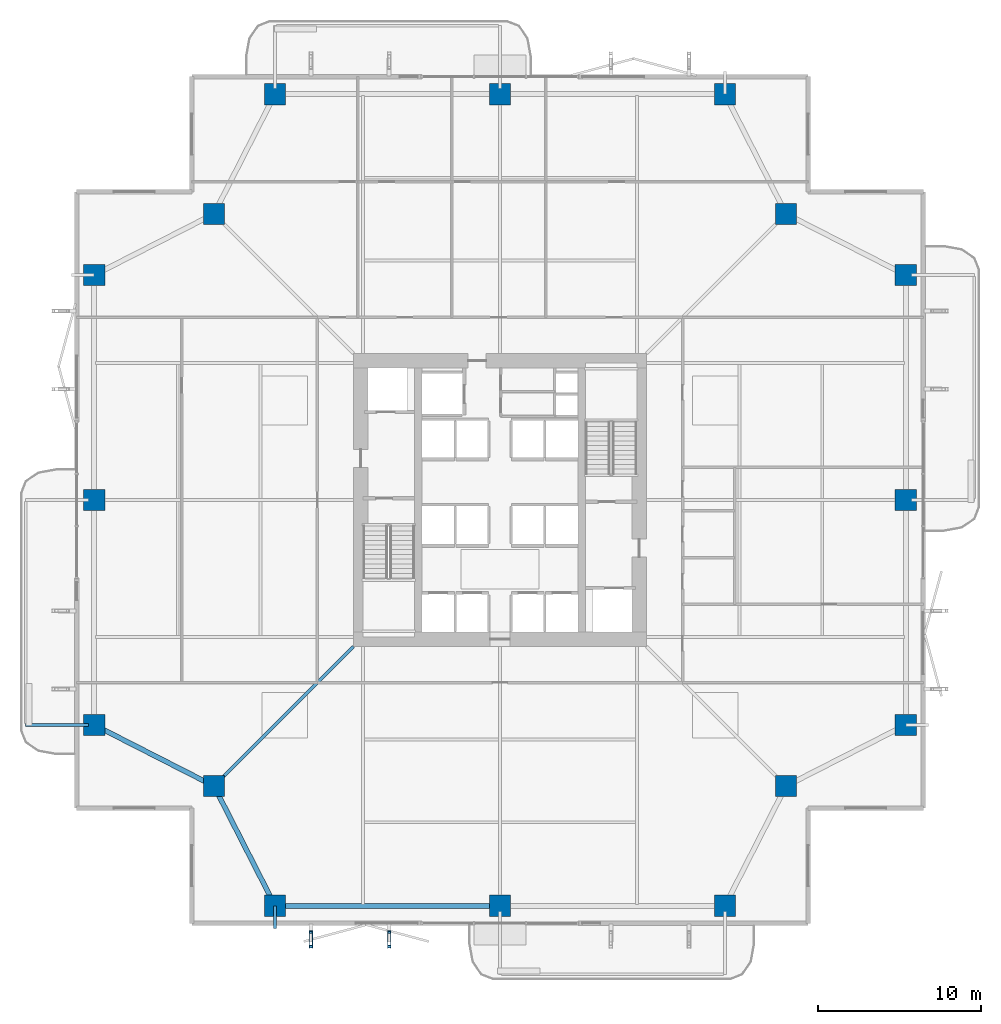
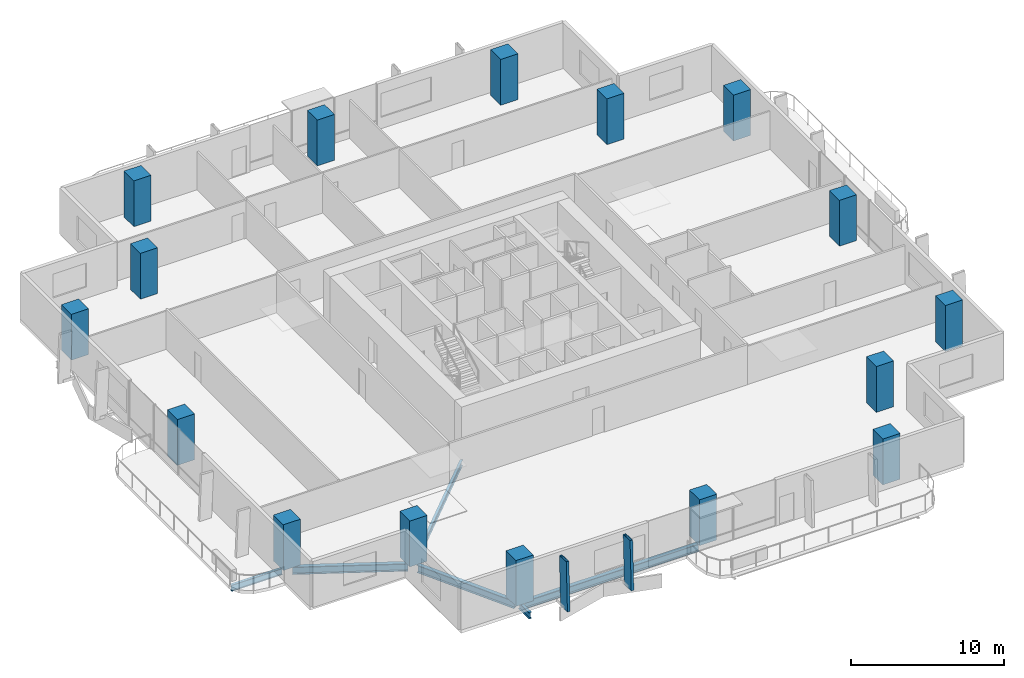
# One storey, part 1 of 24: 16 columns, 6 beams, 2 members.
"""IFC4 building model written with IfcOpenShell, lengths in metres."""

from ifc_helpers import new_model, si_unit, direction, frame, origin, origin_2d, place, context, subcontext, project, spatial, rectangle, hollow_rectangle, i_section, extrude, material, material_profile, profile_set, type_object, element, save


model = new_model("IFC4")

# Units and contexts
model_context = context("Model", 3, precision=1e-05, world=origin(), true_north=direction((0.0, 1.0)))
body_context = subcontext(model_context, "Body", "Model", "MODEL_VIEW")
ifc_project = project(units=[si_unit("LENGTHUNIT", "METRE"), si_unit("AREAUNIT", "SQUARE_METRE"), si_unit("VOLUMEUNIT", "CUBIC_METRE"), si_unit("PLANEANGLEUNIT", "RADIAN"), si_unit("MASSUNIT", "GRAM", prefix="KILO")], contexts=[model_context])

# Site, building, storey
site_placement = place(None, origin())
site = spatial("IfcSite", under=ifc_project, at=site_placement, CompositionType="ELEMENT")
building_placement = place(site_placement, origin())
building = spatial("IfcBuilding", under=site, at=building_placement, Name="Belovzor Exchange Tower", CompositionType="ELEMENT")
storey_placement = place(building_placement, frame((0.0, 0.0, 117.300048828125)))
storey = spatial("IfcBuildingStorey", under=building, at=storey_placement, Name="L28", CompositionType="ELEMENT", Elevation=117.300048828125)

# Columns
ifc_material_1 = material(Name="Concrete C60/75", Category="concrete")
ifc_material_profile_1 = material_profile(ifc_material_1, rectangle(XDim=1.300048828125, YDim=1.300048828125, at=origin_2d()))
ifc_profile_set_1 = profile_set([ifc_material_profile_1], Name="Concrete C60/75")
column_type = type_object("IfcColumnType", Name="Reinforced Concrete Tower Column 1300x1300", PredefinedType="COLUMN", material=ifc_profile_set_1)
for number, where, z_axis, x_axis, name in (
    (1, (15.0, 3.89990234375, 0.0029296875), (0.0, 0.0, 1.0), (1.0, 0.0, 0.0), "COL-T130 Reinforced Concrete Tower Column 1300x1300"),
    (2, (28.800048828125, 3.89990234375, 0.0029296875), (0.0, 0.0, 1.0), (1.0, 0.0, 0.0), "COL-T130 Reinforced Concrete Tower Column 1300x1300"),
    (3, (42.60009765625, 3.89990234375, 0.0029296875), (0.0, 0.0, 1.0), (1.0, 0.0, 0.0), "COL-T130 Reinforced Concrete Tower Column 1300x1300"),
    (4, (53.699951171875, 15.0, 0.0029296875), (0.0, 0.0, 1.0), (1.0, 0.0, 0.0), "COL-T130 Reinforced Concrete Tower Column 1300x1300"),
    (5, (53.699951171875, 28.800048828125, 0.0029296875), (0.0, 0.0, 1.0), (1.0, 0.0, 0.0), "COL-T130 Reinforced Concrete Tower Column 1300x1300"),
    (6, (53.699951171875, 42.60009765625, 0.0029296875), (0.0, 0.0, 1.0), (1.0, 0.0, 0.0), "COL-T130 Reinforced Concrete Tower Column 1300x1300"),
    (7, (42.60009765625, 53.699951171875, 0.0029296875), (0.0, 0.0, 1.0), (1.0, 0.0, 0.0), "COL-T130 Reinforced Concrete Tower Column 1300x1300"),
    (8, (28.800048828125, 53.699951171875, 0.0029296875), (0.0, 0.0, 1.0), (1.0, 0.0, 0.0), "COL-T130 Reinforced Concrete Tower Column 1300x1300"),
    (9, (15.0, 53.699951171875, 0.0029296875), (0.0, 0.0, 1.0), (1.0, 0.0, 0.0), "COL-T130 Reinforced Concrete Tower Column 1300x1300"),
    (10, (3.89990234375, 42.60009765625, 0.0029296875), (0.0, 0.0, 1.0), (1.0, 0.0, 0.0), "COL-T130 Reinforced Concrete Tower Column 1300x1300"),
    (11, (3.89990234375, 28.800048828125, 0.0029296875), (0.0, 0.0, 1.0), (1.0, 0.0, 0.0), "COL-T130 Reinforced Concrete Tower Column 1300x1300"),
    (12, (3.89990234375, 15.0, 0.0029296875), (0.0, 0.0, 1.0), (1.0, 0.0, 0.0), "COL-T130 Reinforced Concrete Tower Column 1300x1300"),
    (13, (11.25, 11.25, 0.0029296875), (0.0, 0.0, 1.0), (1.0, 0.0, 0.0), "COL-T130 Reinforced Concrete Tower Column 1300x1300"),
    (14, (46.35009765625, 11.25, 0.0029296875), (0.0, 0.0, 1.0), (1.0, 0.0, 0.0), "COL-T130 Reinforced Concrete Tower Column 1300x1300"),
    (15, (46.35009765625, 46.35009765625, 0.0029296875), (0.0, 0.0, 1.0), (1.0, 0.0, 0.0), "COL-T130 Reinforced Concrete Tower Column 1300x1300"),
    (16, (11.25, 46.35009765625, 0.0029296875), (0.0, 0.0, 1.0), (1.0, 0.0, 0.0), "COL-T130 Reinforced Concrete Tower Column 1300x1300"),
):
    element("IfcColumn", number, at=place(storey_placement, frame(where, z_axis=z_axis, x_axis=x_axis)), inside=storey, type_object=column_type, Name=name, PredefinedType="COLUMN", context=body_context, shape_type="SweptSolid", body=[
        extrude(rectangle(XDim=1.300048828125, YDim=1.300048828125, at=origin_2d()), origin(), (0.0, 0.0, 1.0), 3.64404296875),
    ])

# Beams
ifc_material_2 = material(Name="Steel S355", Category="steel")
ifc_material_profile_2 = material_profile(ifc_material_2, i_section(OverallWidth=0.199951171875, OverallDepth=0.5, WebThickness=0.01025390625, FlangeThickness=0.01611328125, at=origin_2d()))
ifc_profile_set_2 = profile_set([ifc_material_profile_2], Name="Steel S355")
beam_type_1 = type_object("IfcBeamType", Name="Planted Balcony Cantilever Beam IPE 500", PredefinedType="BEAM", material=ifc_profile_set_2)
beam_1_placement = place(storey_placement, frame((3.5419921875, 15.0, -0.5), z_axis=(-1.0, 0.0, 0.0), x_axis=(0.0, -1.0, 0.0)))
element("IfcBeam", 17, at=beam_1_placement, inside=storey, type_object=beam_type_1, Name="BC-500 Planted Balcony Cantilever Beam IPE 500", PredefinedType="BEAM", context=body_context, shape_type="SweptSolid", body=[
    extrude(i_section(OverallWidth=0.199951171875, OverallDepth=0.5, WebThickness=0.01025390625, FlangeThickness=0.01611328125, at=origin_2d()), origin(), (0.0, 0.0, 1.0), 3.85009765625),
])
beam_2_placement = place(storey_placement, frame((15.0, 3.89990234375, -0.5), z_axis=(0.0, -1.0, 0.0), x_axis=(1.0, 0.0, 0.0)))
element("IfcBeam", 18, at=beam_2_placement, inside=storey, type_object=beam_type_1, Name="BC-500 Planted Balcony Cantilever Beam IPE 500", PredefinedType="BEAM", context=body_context, shape_type="SweptSolid", body=[
    extrude(i_section(OverallWidth=0.199951171875, OverallDepth=0.5, WebThickness=0.01025390625, FlangeThickness=0.01611328125, at=origin_2d()), origin(), (0.0, 0.0, 1.0), 1.39990234375),
])

# Members
ifc_material_3 = material(Name="Extruded Architectural Terracotta on Steel S355 Carrier", Category="masonry")
ifc_material_profile_3 = material_profile(ifc_material_3, hollow_rectangle(XDim=0.199951171875, YDim=0.89990234375, WallThickness=0.011962890625, at=origin_2d()))
ifc_profile_set_3 = profile_set([ifc_material_profile_3], Name="Extruded Architectural Terracotta on Steel S355 Carrier")
member_type = type_object("IfcMemberType", Name="Sweeping Terracotta Baguette Fin Assembly 1250", PredefinedType="USERDEFINED", material=ifc_profile_set_3)
for number, where, z_axis, x_axis, name in (
    (19, (17.199951171875, 1.758056640625, -0.25), (0.0, 0.040719923662, 0.999170599956), (-1.0, 0.0, 0.0), "FIN-TC125 Terracotta Facade Fin L28 S1"),
    (20, (22.0, 1.758056640625, -0.25), (0.0, 0.040719923662, 0.999170599956), (-1.0, 0.0, 0.0), "FIN-TC125 Terracotta Facade Fin L28 S2"),
):
    element("IfcMember", number, at=place(storey_placement, frame(where, z_axis=z_axis, x_axis=x_axis)), inside=storey, type_object=member_type, Name=name, ObjectType="FIN", PredefinedType="USERDEFINED", context=body_context, shape_type="SweptSolid", body=[
        extrude(hollow_rectangle(XDim=0.199951171875, YDim=0.89990234375, WallThickness=0.011962890625, at=origin_2d()), origin(), (0.0, 0.0, 1.0), 3.903076171875),
    ])

# Beams
ifc_material_4 = material(Name="Steel S355", Category="steel")
ifc_material_profile_4 = material_profile(ifc_material_4, i_section(OverallWidth=0.300048828125, OverallDepth=0.60009765625, WebThickness=0.015380859375, FlangeThickness=0.030029296875, at=origin_2d()))
ifc_profile_set_4 = profile_set([ifc_material_profile_4], Name="Steel S355")
beam_type_2 = type_object("IfcBeamType", Name="Zone 2 Primary Perimeter Girder HEB 600", PredefinedType="BEAM", material=ifc_profile_set_4)
beam_3_placement = place(storey_placement, frame((11.412109375, 10.931884765625, -0.550048828125), z_axis=(0.454506007464, -0.890743671984, 0.0), x_axis=(0.890743671984, 0.454506007464, 0.0)))
element("IfcBeam", 21, at=beam_3_placement, inside=storey, type_object=beam_type_2, Name="FG-Z2 Zone 2 Primary Perimeter Girder HEB 600", PredefinedType="BEAM", context=body_context, shape_type="SweptSolid", body=[
    extrude(i_section(OverallWidth=0.300048828125, OverallDepth=0.60009765625, WebThickness=0.015380859375, FlangeThickness=0.030029296875, at=origin_2d()), origin(), (0.0, 0.0, 1.0), 7.537353515625),
])
beam_4_placement = place(storey_placement, frame((15.35693359375, 3.89990234375, -0.550048828125), z_axis=(1.0, 0.0, 0.0), x_axis=(0.0, 1.0, 0.0)))
element("IfcBeam", 22, at=beam_4_placement, inside=storey, type_object=beam_type_2, Name="FG-Z2 Zone 2 Primary Perimeter Girder HEB 600", PredefinedType="BEAM", context=body_context, shape_type="SweptSolid", body=[
    extrude(i_section(OverallWidth=0.300048828125, OverallDepth=0.60009765625, WebThickness=0.015380859375, FlangeThickness=0.030029296875, at=origin_2d()), origin(), (0.0, 0.0, 1.0), 13.0849609375),
])
beam_5_placement = place(storey_placement, frame((4.218017578125, 14.837890625, -0.550048828125), z_axis=(0.890743671984, -0.454506007464, 0.0), x_axis=(0.454506007464, 0.890743671984, 0.0)))
element("IfcBeam", 23, at=beam_5_placement, inside=storey, type_object=beam_type_2, Name="FG-Z2 Zone 2 Primary Perimeter Girder HEB 600", PredefinedType="BEAM", context=body_context, shape_type="SweptSolid", body=[
    extrude(i_section(OverallWidth=0.300048828125, OverallDepth=0.60009765625, WebThickness=0.015380859375, FlangeThickness=0.030029296875, at=origin_2d()), origin(), (0.0, 0.0, 1.0), 7.537353515625),
])
ifc_material_5 = material(Name="Steel S355", Category="steel")
ifc_material_profile_5 = material_profile(ifc_material_5, i_section(OverallWidth=0.18994140625, OverallDepth=0.449951171875, WebThickness=0.009521484375, FlangeThickness=0.0146484375, at=origin_2d()))
ifc_profile_set_5 = profile_set([ifc_material_profile_5], Name="Steel S355")
beam_type_3 = type_object("IfcBeamType", Name="Zone 2-4 Radial Composite Floor Beam IPE 450", PredefinedType="BEAM", material=ifc_profile_set_5)
beam_6_placement = place(storey_placement, frame((19.800048828125, 19.800048828125, -0.47509765625), z_axis=(-0.707106781187, -0.707106781187, 0.0), x_axis=(0.707106781187, -0.707106781187, 0.0)))
element("IfcBeam", 24, at=beam_6_placement, inside=storey, type_object=beam_type_3, Name="FB-450 Zone 2-4 Radial Composite Floor Beam IPE 450", PredefinedType="BEAM", context=body_context, shape_type="SweptSolid", body=[
    extrude(i_section(OverallWidth=0.18994140625, OverallDepth=0.449951171875, WebThickness=0.009521484375, FlangeThickness=0.0146484375, at=origin_2d()), origin(), (0.0, 0.0, 1.0), 11.632080078125),
])

save(model, "model.ifc")
